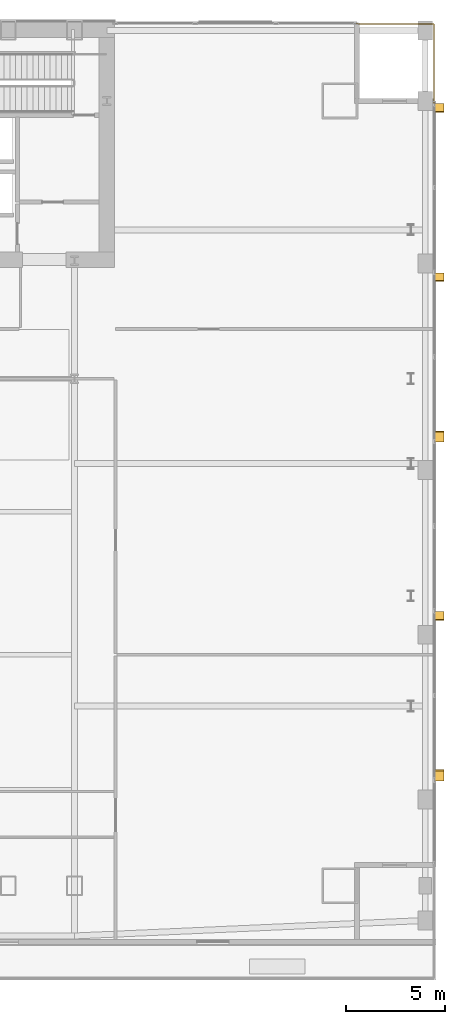
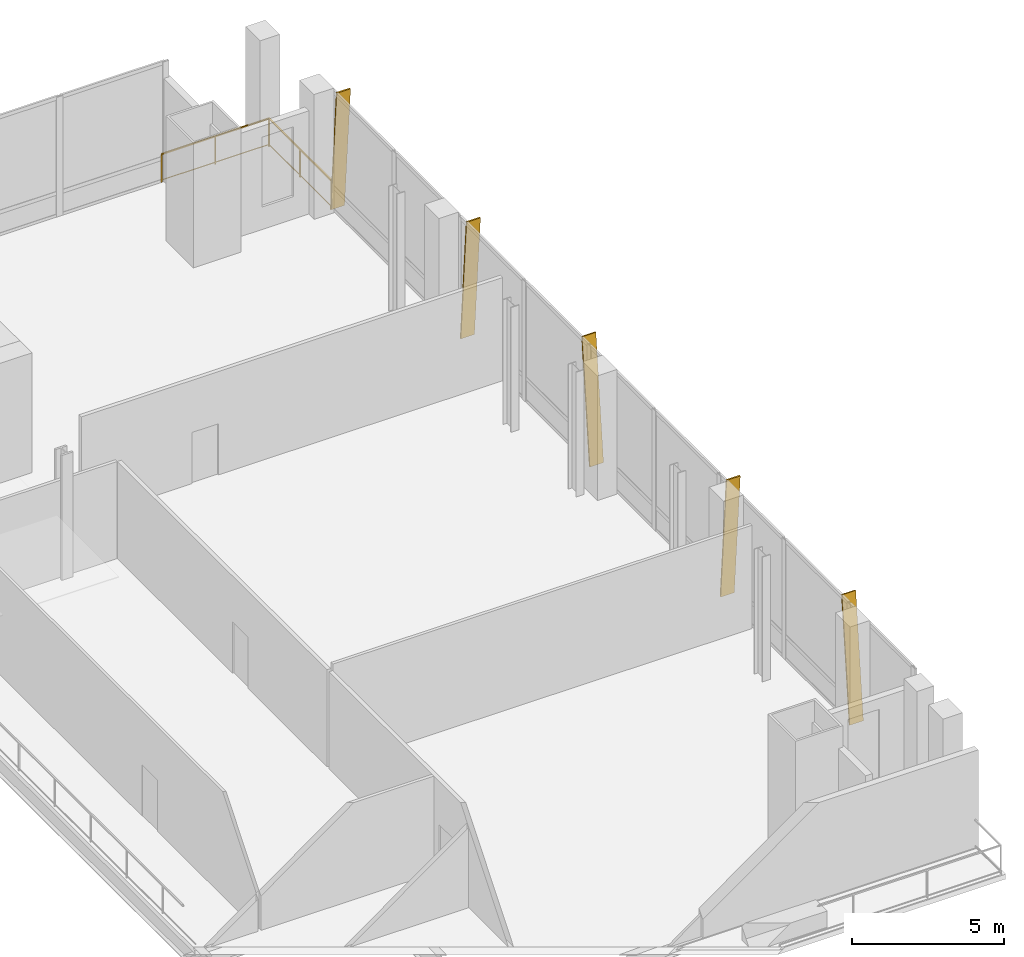
# One storey, part 25 of 25: 5 shading devices, 1 railing.
"""IFC4 building model written with IfcOpenShell, lengths in metres."""

from ifc_helpers import new_model, si_unit, direction, frame, origin, origin_2d, place, context, subcontext, project, spatial, polyline, rectangle, outline, extrude, material, layer, layer_set, type_object, element, save


model = new_model("IFC4")

# Units and contexts
model_context = context("Model", 3, precision=1e-05, world=origin(), true_north=direction((0.0, 1.0)))
body_context = subcontext(model_context, "Body", "Model", "MODEL_VIEW")
ifc_project = project(units=[si_unit("LENGTHUNIT", "METRE"), si_unit("AREAUNIT", "SQUARE_METRE"), si_unit("VOLUMEUNIT", "CUBIC_METRE"), si_unit("PLANEANGLEUNIT", "RADIAN"), si_unit("MASSUNIT", "GRAM", prefix="KILO")], contexts=[model_context])

# Site, building, storey
site_placement = place(None, origin())
site = spatial("IfcSite", under=ifc_project, at=site_placement, CompositionType="ELEMENT")
building_placement = place(site_placement, origin())
building = spatial("IfcBuilding", under=site, at=building_placement, Name="Khoronbel Lancet Exchange", CompositionType="ELEMENT")
storey_placement = place(building_placement, frame((0.0, 0.0, 10.39990234375)))
storey = spatial("IfcBuildingStorey", under=building, at=storey_placement, Name="L02", CompositionType="ELEMENT", Elevation=10.39990234375)

# Railing
ifc_material_1 = material(Name="Bronze-Anodised Stainless Steel", Category="steel")
railing_type = type_object("IfcRailingType", Name="RL-EXT115", PredefinedType="GUARDRAIL", material=ifc_material_1)
railing_placement = place(storey_placement, frame((68.699951171875, 53.580078125, 0.0)))
element("IfcRailing", 1, at=railing_placement, inside=storey, type_object=railing_type, Name="Level L02 north-east colonnade corner loggia guardrail", PredefinedType="GUARDRAIL", context=body_context, shape_type="SweptSolid", body=[
    extrude(rectangle(XDim=0.052001953125, YDim=0.052001953125, at=origin_2d()), frame((0.0, 0.0, 1.1240234375), z_axis=(1.0, 0.0, 0.0), x_axis=(0.0, 1.0, 0.0)), (0.0, 0.0, 1.0), 4.080078125),
    extrude(rectangle(XDim=0.02587890625, YDim=0.02587890625, at=origin_2d()), frame((0.0, 0.0, 0.080078125), z_axis=(1.0, 0.0, 0.0), x_axis=(0.0, 1.0, 0.0)), (0.0, 0.0, 1.0), 4.080078125),
    extrude(rectangle(XDim=0.052001953125, YDim=0.052001953125, at=origin_2d()), frame((4.080078125, 0.0, 1.1240234375), z_axis=(0.0, -1.0, 0.0), x_axis=(1.0, 0.0, 0.0)), (0.0, 0.0, 1.0), 4.080078125),
    extrude(rectangle(XDim=0.02587890625, YDim=0.02587890625, at=origin_2d()), frame((4.080078125, 0.0, 0.080078125), z_axis=(0.0, -1.0, 0.0), x_axis=(1.0, 0.0, 0.0)), (0.0, 0.0, 1.0), 4.080078125),
    extrude(rectangle(XDim=0.0419921875, YDim=0.0419921875, at=origin_2d()), origin(), (0.0, 0.0, 1.0), 1.097900390625),
    extrude(rectangle(XDim=0.0419921875, YDim=0.0419921875, at=origin_2d()), frame((2.0400390625, 0.0, 0.0)), (0.0, 0.0, 1.0), 1.097900390625),
    extrude(rectangle(XDim=0.0419921875, YDim=0.0419921875, at=origin_2d()), frame((4.080078125, 0.0, 0.0)), (0.0, 0.0, 1.0), 1.097900390625),
    extrude(rectangle(XDim=0.0419921875, YDim=0.0419921875, at=origin_2d()), frame((4.080078125, -2.0400390625, 0.0)), (0.0, 0.0, 1.0), 1.097900390625),
    extrude(rectangle(XDim=0.0419921875, YDim=0.0419921875, at=origin_2d()), frame((4.080078125, -4.080078125, 0.0)), (0.0, 0.0, 1.0), 1.097900390625),
])

# Shading devices
ifc_material_2 = material(Name="Bronze-Anodised Aluminium 6063-T6", Category="aluminium")
ifc_layer = layer(ifc_material_2, 0.054931640625, Name="Bronze-Anodised Aluminium 6063-T6")
ifc_layer_set = layer_set([ifc_layer], Name="Bronze-Anodised Aluminium 6063-T6")
shading_device_type = type_object("IfcShadingDeviceType", Name="SHD-FIN1", PredefinedType="USERDEFINED", material=ifc_layer_set)
shading_device_1_placement = place(storey_placement, frame((72.780029296875, 15.439208984375, -0.079833984375), z_axis=(0.0, -0.994775784516, 0.102083977887), x_axis=(1.0, 0.0, 0.0)))
element("IfcShadingDevice", 2, at=shading_device_1_placement, inside=storey, type_object=shading_device_type, Name="Slanted bronze solar fin CW-L02-EAST-1", ObjectType="FIN", PredefinedType="USERDEFINED", context=body_context, shape_type="SweptSolid", body=[
    extrude(outline(polyline([(0.0, 0.0), (0.52001953125, 0.0), (0.52001953125, 4.94580078125), (0.0, 4.94580078125), (0.0, 0.0)])), origin(), (0.0, 0.0, -1.0), 0.054931640625),
])
shading_device_2_placement = place(storey_placement, frame((72.780029296875, 23.972412109375, -0.079833984375), z_axis=(0.0, 0.996792274735, 0.080032249927), x_axis=(1.0, 0.0, 0.0)))
element("IfcShadingDevice", 3, at=shading_device_2_placement, inside=storey, type_object=shading_device_type, Name="Slanted bronze solar fin CW-L02-EAST-3", ObjectType="FIN", PredefinedType="USERDEFINED", context=body_context, shape_type="SweptSolid", body=[
    extrude(outline(polyline([(0.0, 0.0), (0.52001953125, 0.0), (0.52001953125, -4.935791015625), (0.0, -4.935791015625), (0.0, 0.0)])), origin(), (0.0, 0.0, -1.0), 0.054931640625),
])
shading_device_3_placement = place(storey_placement, frame((72.780029296875, 32.505859375, -0.079833984375), z_axis=(0.0, -0.994775784516, 0.102083977887), x_axis=(1.0, 0.0, 0.0)))
element("IfcShadingDevice", 4, at=shading_device_3_placement, inside=storey, type_object=shading_device_type, Name="Slanted bronze solar fin CW-L02-EAST-5", ObjectType="FIN", PredefinedType="USERDEFINED", context=body_context, shape_type="SweptSolid", body=[
    extrude(outline(polyline([(0.0, 0.0), (0.52001953125, 0.0), (0.52001953125, 4.94580078125), (0.0, 4.94580078125), (0.0, 0.0)])), origin(), (0.0, 0.0, -1.0), 0.054931640625),
])
for number, where, z_axis, x_axis, name in (
    (5, (72.780029296875, 41.039306640625, -0.079833984375), (0.0, 0.996792274735, 0.080032249927), (1.0, 0.0, 0.0), "Slanted bronze solar fin CW-L02-EAST-7"),
    (6, (72.780029296875, 49.572509765625, -0.079833984375), (0.0, 0.996792274735, 0.080032249927), (1.0, 0.0, 0.0), "Slanted bronze solar fin CW-L02-EAST-9"),
):
    element("IfcShadingDevice", number, at=place(storey_placement, frame(where, z_axis=z_axis, x_axis=x_axis)), inside=storey, type_object=shading_device_type, Name=name, ObjectType="FIN", PredefinedType="USERDEFINED", context=body_context, shape_type="SweptSolid", body=[
        extrude(outline(polyline([(0.0, 0.0), (0.52001953125, 0.0), (0.52001953125, -4.935791015625), (0.0, -4.935791015625), (0.0, 0.0)])), origin(), (0.0, 0.0, -1.0), 0.054931640625),
    ])

save(model, "model.ifc")
